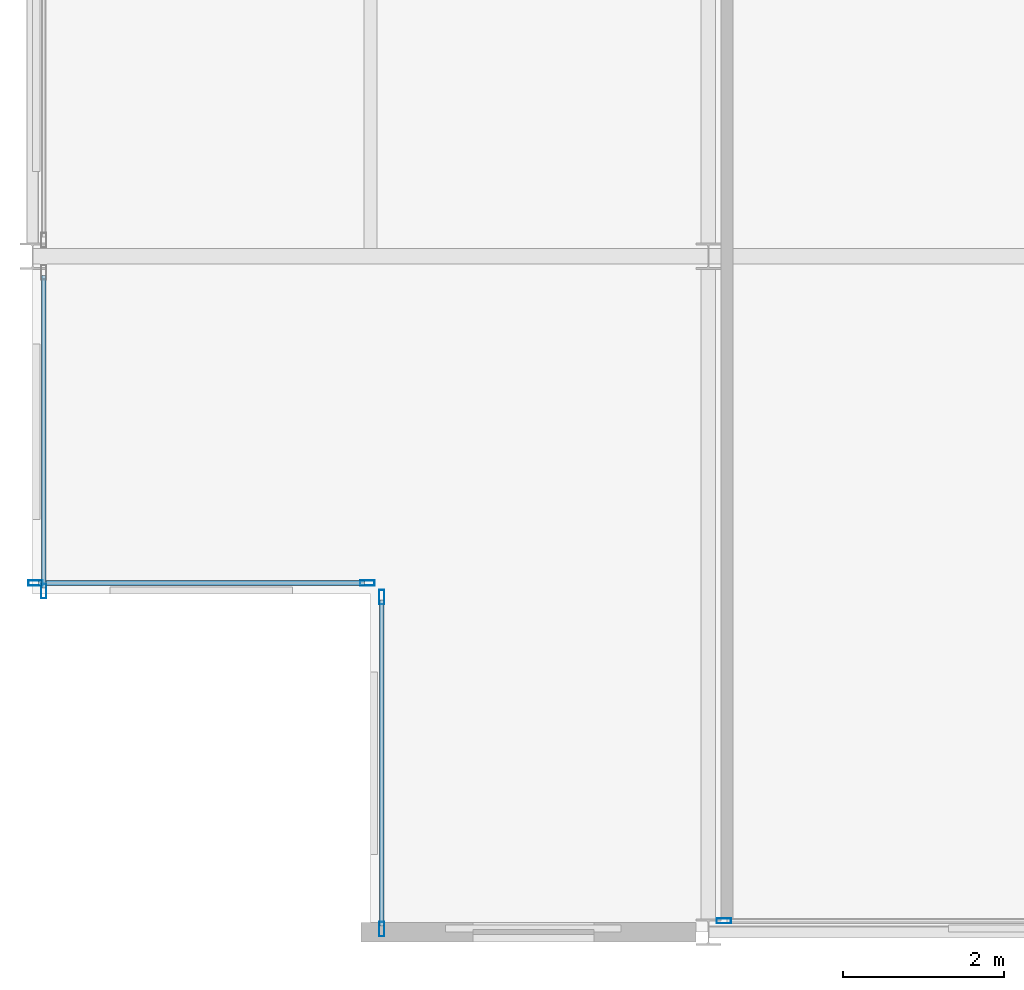
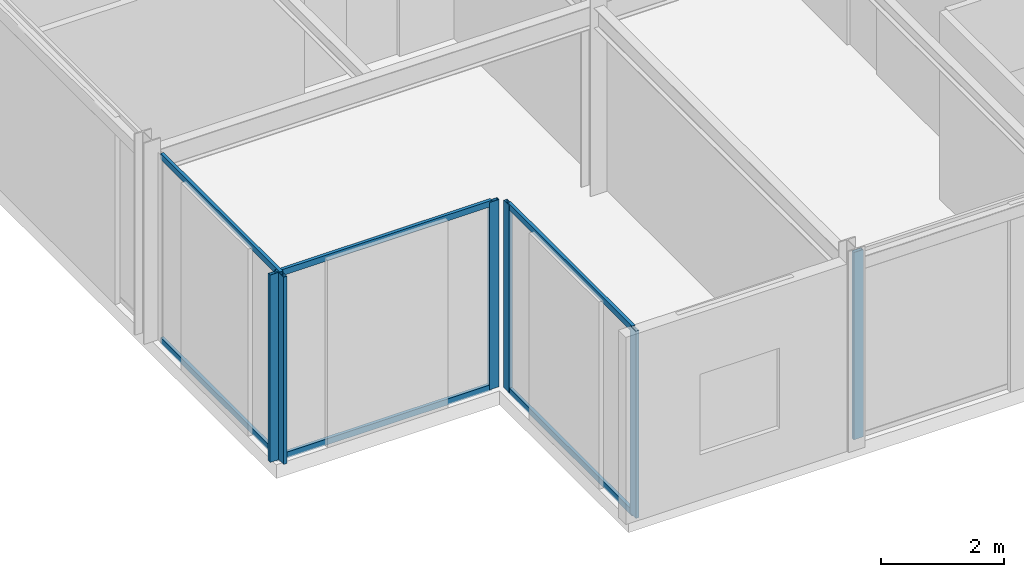
# One storey, part 3 of 24: 12 members, 4 elements without a shape of their own.
"""IFC4 building model written with IfcOpenShell, lengths in metres."""

from ifc_helpers import new_model, si_unit, direction, frame, origin, origin_2d, place, context, subcontext, project, spatial, hollow_rectangle, extrude, material, layer, layer_set, material_profile, profile_set, type_object, element, aggregate, save


model = new_model("IFC4")

# Units and contexts
model_context = context("Model", 3, precision=1e-05, world=origin(), true_north=direction((0.0, 1.0)))
body_context = subcontext(model_context, "Body", "Model", "MODEL_VIEW")
ifc_project = project(units=[si_unit("LENGTHUNIT", "METRE"), si_unit("AREAUNIT", "SQUARE_METRE"), si_unit("VOLUMEUNIT", "CUBIC_METRE"), si_unit("PLANEANGLEUNIT", "RADIAN"), si_unit("MASSUNIT", "GRAM", prefix="KILO")], contexts=[model_context])

# Site, building, storey
site_placement = place(None, origin())
site = spatial("IfcSite", under=ifc_project, at=site_placement, CompositionType="ELEMENT")
building_placement = place(site_placement, origin())
building = spatial("IfcBuilding", under=site, at=building_placement, Name="Nerrivon Quay Data Exchange", CompositionType="ELEMENT")
storey_placement = place(building_placement, frame((0.0, 0.0, 310.199951171875)))
storey = spatial("IfcBuildingStorey", under=building, at=storey_placement, Name="L74", CompositionType="ELEMENT", Elevation=310.199951171875)

# Curtain wall, member
ifc_material = material(Name="Anodised aluminium 6063-T6", Category="aluminium")
ifc_layer = layer(ifc_material, 0.195068359375)
ifc_layer_set = layer_set([ifc_layer], Name="Anodised aluminium 6063-T6")
curtain_wall_type = type_object("IfcCurtainWallType", Name="CW-SYS-06", PredefinedType="NOTDEFINED", material=ifc_layer_set)
curtain_wall_1_placement = place(storey_placement, origin())
curtain_wall_1 = element("IfcCurtainWall", 1, at=curtain_wall_1_placement, inside=storey, type_object=curtain_wall_type, Name="L74 Unitised Curtain Wall 4", PredefinedType="NOTDEFINED")
ifc_material_profile_1 = material_profile(ifc_material, hollow_rectangle(XDim=0.06494140625, YDim=0.179931640625, WallThickness=0.00341796875, at=origin_2d()), Name="ALU-MULL-180x65")
ifc_profile_set_1 = profile_set([ifc_material_profile_1], Name="Anodised aluminium 6063-T6")
member_type_1 = type_object("IfcMemberType", Name="CWM-180x65", PredefinedType="MULLION", material=ifc_profile_set_1)
member_1_placement = place(storey_placement, frame((8.593017578125, 0.139892578125, 0.0), z_axis=(0.0, 0.0, 1.0), x_axis=(0.0, -1.0, 0.0)))
member_1 = element("IfcMember", 2, at=member_1_placement, type_object=member_type_1, Name="CW06 mullion 2", PredefinedType="MULLION", context=body_context, shape_type="SweptSolid", body=[
    extrude(hollow_rectangle(XDim=0.06494140625, YDim=0.179931640625, WallThickness=0.00341796875, at=origin_2d()), origin(), (0.0, 0.0, 1.0), 3.72509765625),
])
aggregate(curtain_wall_1, [member_1])

# Curtain wall, members
curtain_wall_2_placement = place(storey_placement, origin())
curtain_wall_2 = element("IfcCurtainWall", 3, at=curtain_wall_2_placement, inside=storey, type_object=curtain_wall_type, Name="L74 Unitised Curtain Wall 6", PredefinedType="NOTDEFINED")
member_2_placement = place(storey_placement, frame((4.340087890625, 0.03759765625, 0.0), z_axis=(0.0, 0.0, 1.0), x_axis=(-1.0, 0.0, 0.0)))
member_2 = element("IfcMember", 4, at=member_2_placement, type_object=member_type_1, Name="CW06 mullion 1", PredefinedType="MULLION", context=body_context, shape_type="SweptSolid", body=[
    extrude(hollow_rectangle(XDim=0.06494140625, YDim=0.179931640625, WallThickness=0.00341796875, at=origin_2d()), origin(), (0.0, 0.0, 1.0), 3.72509765625),
])
member_3_placement = place(storey_placement, frame((4.340087890625, 4.16259765625, 0.0), z_axis=(0.0, 0.0, 1.0), x_axis=(-1.0, 0.0, 0.0)))
member_3 = element("IfcMember", 5, at=member_3_placement, type_object=member_type_1, Name="CW06 mullion 2", PredefinedType="MULLION", context=body_context, shape_type="SweptSolid", body=[
    extrude(hollow_rectangle(XDim=0.06494140625, YDim=0.179931640625, WallThickness=0.00341796875, at=origin_2d()), origin(), (0.0, 0.0, 1.0), 3.72509765625),
])

curtain_wall_3_placement = place(storey_placement, origin())
curtain_wall_3 = element("IfcCurtainWall", 6, at=curtain_wall_3_placement, inside=storey, type_object=curtain_wall_type, Name="L74 Unitised Curtain Wall 7", PredefinedType="NOTDEFINED")
member_4_placement = place(storey_placement, frame((4.16259765625, 4.340087890625, 0.0), z_axis=(0.0, 0.0, 1.0), x_axis=(0.0, -1.0, 0.0)))
member_4 = element("IfcMember", 7, at=member_4_placement, type_object=member_type_1, Name="CW06 mullion 1", PredefinedType="MULLION", context=body_context, shape_type="SweptSolid", body=[
    extrude(hollow_rectangle(XDim=0.06494140625, YDim=0.179931640625, WallThickness=0.00341796875, at=origin_2d()), origin(), (0.0, 0.0, 1.0), 3.72509765625),
])
member_5_placement = place(storey_placement, frame((0.03759765625, 4.340087890625, 0.0), z_axis=(0.0, 0.0, 1.0), x_axis=(0.0, -1.0, 0.0)))
member_5 = element("IfcMember", 8, at=member_5_placement, type_object=member_type_1, Name="CW06 mullion 2", PredefinedType="MULLION", context=body_context, shape_type="SweptSolid", body=[
    extrude(hollow_rectangle(XDim=0.06494140625, YDim=0.179931640625, WallThickness=0.00341796875, at=origin_2d()), origin(), (0.0, 0.0, 1.0), 3.72509765625),
])

# Curtain wall, member
curtain_wall_4_placement = place(storey_placement, origin())
curtain_wall_4 = element("IfcCurtainWall", 9, at=curtain_wall_4_placement, inside=storey, type_object=curtain_wall_type, Name="L74 Unitised Curtain Wall 8", PredefinedType="NOTDEFINED")
member_6_placement = place(storey_placement, frame((0.139892578125, 4.237548828125, 0.0), z_axis=(0.0, 0.0, 1.0), x_axis=(-1.0, 0.0, 0.0)))
member_6 = element("IfcMember", 10, at=member_6_placement, type_object=member_type_1, Name="CW06 mullion 1", PredefinedType="MULLION", context=body_context, shape_type="SweptSolid", body=[
    extrude(hollow_rectangle(XDim=0.06494140625, YDim=0.179931640625, WallThickness=0.00341796875, at=origin_2d()), origin(), (0.0, 0.0, 1.0), 3.72509765625),
])

# Member
ifc_material_profile_2 = material_profile(ifc_material, hollow_rectangle(XDim=0.06005859375, YDim=0.1201171875, WallThickness=0.003173828125, at=origin_2d()), Name="ALU-TRAN-120x60")
ifc_profile_set_2 = profile_set([ifc_material_profile_2], Name="Anodised aluminium 6063-T6")
member_type_2 = type_object("IfcMemberType", Name="CWT-120x60", PredefinedType="USERDEFINED", material=ifc_profile_set_2)
member_7_placement = place(storey_placement, frame((4.340087890625, 0.074951171875, 0.032470703125), z_axis=(0.0, 1.0, 0.0), x_axis=(-1.0, 0.0, 0.0)))
member_7 = element("IfcMember", 11, at=member_7_placement, type_object=member_type_2, Name="CW06 transom 1.1", ObjectType="TRANSOM", PredefinedType="USERDEFINED", context=body_context, shape_type="SweptSolid", body=[
    extrude(hollow_rectangle(XDim=0.06005859375, YDim=0.1201171875, WallThickness=0.003173828125, at=origin_2d()), origin(), (0.0, 0.0, 1.0), 4.050048828125),
])

member_8_placement = place(storey_placement, frame((4.340087890625, 0.074951171875, 3.692626953125), z_axis=(0.0, 1.0, 0.0), x_axis=(-1.0, 0.0, 0.0)))
member_8 = element("IfcMember", 12, at=member_8_placement, type_object=member_type_2, Name="CW06 transom 1.2", ObjectType="TRANSOM", PredefinedType="USERDEFINED", context=body_context, shape_type="SweptSolid", body=[
    extrude(hollow_rectangle(XDim=0.06005859375, YDim=0.1201171875, WallThickness=0.003173828125, at=origin_2d()), origin(), (0.0, 0.0, 1.0), 4.050048828125),
])

aggregate(curtain_wall_2, [member_2, member_3, member_7, member_8])

member_9_placement = place(storey_placement, frame((4.125, 4.340087890625, 0.032470703125), z_axis=(-1.0, 0.0, 0.0), x_axis=(0.0, -1.0, 0.0)))
member_9 = element("IfcMember", 13, at=member_9_placement, type_object=member_type_2, Name="CW06 transom 1.1", ObjectType="TRANSOM", PredefinedType="USERDEFINED", context=body_context, shape_type="SweptSolid", body=[
    extrude(hollow_rectangle(XDim=0.06005859375, YDim=0.1201171875, WallThickness=0.003173828125, at=origin_2d()), origin(), (0.0, 0.0, 1.0), 4.050048828125),
])

member_10_placement = place(storey_placement, frame((4.125, 4.340087890625, 3.692626953125), z_axis=(-1.0, 0.0, 0.0), x_axis=(0.0, -1.0, 0.0)))
member_10 = element("IfcMember", 14, at=member_10_placement, type_object=member_type_2, Name="CW06 transom 1.2", ObjectType="TRANSOM", PredefinedType="USERDEFINED", context=body_context, shape_type="SweptSolid", body=[
    extrude(hollow_rectangle(XDim=0.06005859375, YDim=0.1201171875, WallThickness=0.003173828125, at=origin_2d()), origin(), (0.0, 0.0, 1.0), 4.050048828125),
])

aggregate(curtain_wall_3, [member_4, member_5, member_9, member_10])

member_11_placement = place(storey_placement, frame((0.139892578125, 4.27490234375, 0.032470703125), z_axis=(0.0, 1.0, 0.0), x_axis=(-1.0, 0.0, 0.0)))
member_11 = element("IfcMember", 15, at=member_11_placement, type_object=member_type_2, Name="CW06 transom 1.1", ObjectType="TRANSOM", PredefinedType="USERDEFINED", context=body_context, shape_type="SweptSolid", body=[
    extrude(hollow_rectangle(XDim=0.06005859375, YDim=0.1201171875, WallThickness=0.003173828125, at=origin_2d()), origin(), (0.0, 0.0, 1.0), 3.88671875),
])

member_12_placement = place(storey_placement, frame((0.139892578125, 4.27490234375, 3.692626953125), z_axis=(0.0, 1.0, 0.0), x_axis=(-1.0, 0.0, 0.0)))
member_12 = element("IfcMember", 16, at=member_12_placement, type_object=member_type_2, Name="CW06 transom 1.2", ObjectType="TRANSOM", PredefinedType="USERDEFINED", context=body_context, shape_type="SweptSolid", body=[
    extrude(hollow_rectangle(XDim=0.06005859375, YDim=0.1201171875, WallThickness=0.003173828125, at=origin_2d()), origin(), (0.0, 0.0, 1.0), 3.88671875),
])

aggregate(curtain_wall_4, [member_6, member_11, member_12])

save(model, "model.ifc")
